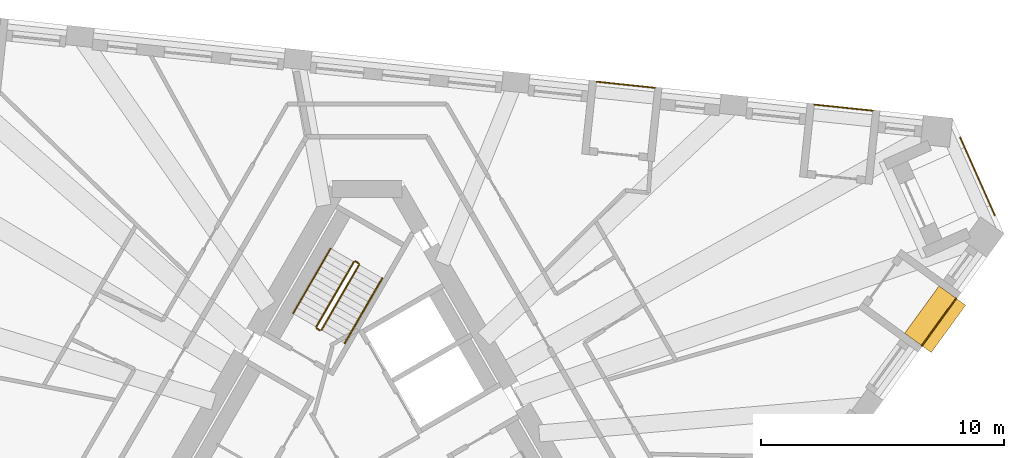
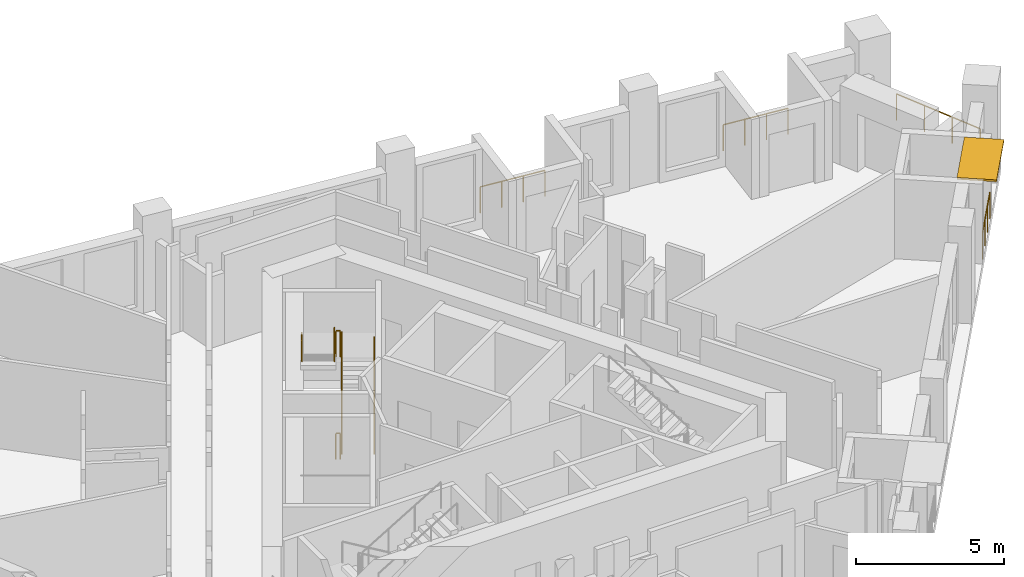
# One storey, part 11 of 11: 10 railings, 1 shading device.
"""IFC4 building model written with IfcOpenShell, lengths in metres."""

from ifc_helpers import new_model, si_unit, direction, frame, origin, origin_2d, place, context, subcontext, project, spatial, rectangle, circle, extrude, material, layer, layer_set, type_object, element, save


model = new_model("IFC4")

# Units and contexts
model_context = context("Model", 3, precision=1e-05, world=origin(), true_north=direction((0.0, 1.0)))
body_context = subcontext(model_context, "Body", "Model", "MODEL_VIEW")
ifc_project = project(units=[si_unit("LENGTHUNIT", "METRE"), si_unit("AREAUNIT", "SQUARE_METRE"), si_unit("VOLUMEUNIT", "CUBIC_METRE"), si_unit("PLANEANGLEUNIT", "RADIAN"), si_unit("MASSUNIT", "GRAM", prefix="KILO")], contexts=[model_context])

# Site, building, storey
site_placement = place(None, origin())
site = spatial("IfcSite", under=ifc_project, at=site_placement, CompositionType="ELEMENT")
building_placement = place(site_placement, origin())
building = spatial("IfcBuilding", under=site, at=building_placement, Name="Tramontana Tower", CompositionType="ELEMENT")
storey_placement = place(building_placement, frame((0.0, 0.0, 249.199951171875)))
storey = spatial("IfcBuildingStorey", under=building, at=storey_placement, Name="L58", CompositionType="ELEMENT", Elevation=249.199951171875)

# Railings
ifc_material_1 = material(Name="Laminated glass balustrade", Category="glass")
railing_type_1 = type_object("IfcRailingType", Name="GD1 Loggia glass balustrade 1100", PredefinedType="BALUSTRADE", material=ifc_material_1)
railing_1_placement = place(storey_placement, frame((22.802001953125, 4.21435546875, 0.0)))
element("IfcRailing", 1, at=railing_1_placement, inside=storey, type_object=railing_type_1, Name="Loggia balustrade L58 G6S1.13", PredefinedType="BALUSTRADE", context=body_context, shape_type="SweptSolid", body=[
    extrude(circle(Radius=0.02392578125, at=origin_2d()), frame((0.0, 0.0, 1.076171875), z_axis=(0.587718396543, 0.8090655637, 0.0), x_axis=(-0.8090655637, 0.587718396543, 0.0)), (0.0, 0.0, 1.0), 2.40234375),
    extrude(circle(Radius=0.02099609375, at=origin_2d()), origin(), (0.0, 0.0, 1.0), 1.052001953125),
    extrude(circle(Radius=0.02099609375, at=origin_2d()), frame((0.470703125, 0.64794921875, 0.0)), (0.0, 0.0, 1.0), 1.052001953125),
    extrude(circle(Radius=0.02099609375, at=origin_2d()), frame((0.941162109375, 1.295654296875, 0.0)), (0.0, 0.0, 1.0), 1.052001953125),
    extrude(circle(Radius=0.02099609375, at=origin_2d()), frame((1.411865234375, 1.943603515625, 0.0)), (0.0, 0.0, 1.0), 1.052001953125),
])
for number, where, name in (
    (2, (20.778564453125, 13.8740234375, 0.0), "Loggia balustrade L58 G6S2.1"),
    (3, (11.8212890625, 14.8154296875, 0.0), "Loggia balustrade L58 G6S2.4"),
):
    element("IfcRailing", number, at=place(storey_placement, frame(where)), inside=storey, type_object=railing_type_1, Name=name, PredefinedType="BALUSTRADE", context=body_context, shape_type="SweptSolid", body=[
        extrude(circle(Radius=0.02392578125, at=origin_2d()), frame((0.0, 0.0, 1.076171875), z_axis=(-0.994517140727, 0.104573690763, 0.0), x_axis=(-0.104573690763, -0.994517140727, 0.0)), (0.0, 0.0, 1.0), 2.40234375),
        extrude(circle(Radius=0.02099609375, at=origin_2d()), origin(), (0.0, 0.0, 1.0), 1.052001953125),
        extrude(circle(Radius=0.02099609375, at=origin_2d()), frame((-0.79638671875, 0.083740234375, 0.0)), (0.0, 0.0, 1.0), 1.052001953125),
        extrude(circle(Radius=0.02099609375, at=origin_2d()), frame((-1.5927734375, 0.16748046875, 0.0)), (0.0, 0.0, 1.0), 1.052001953125),
        extrude(circle(Radius=0.02099609375, at=origin_2d()), frame((-2.38916015625, 0.251220703125, 0.0)), (0.0, 0.0, 1.0), 1.052001953125),
    ])
railing_2_placement = place(storey_placement, frame((24.38330078125, 12.771728515625, 0.0)))
element("IfcRailing", 4, at=railing_2_placement, inside=storey, type_object=railing_type_1, Name="Corner loggia balustrade L58 K62", PredefinedType="BALUSTRADE", context=body_context, shape_type="SweptSolid", body=[
    extrude(circle(Radius=0.02392578125, at=origin_2d()), frame((0.0, 0.0, 1.076171875), z_axis=(0.406753242783, -0.913538066796, 0.0), x_axis=(0.913538066796, 0.406753242783, 0.0)), (0.0, 0.0, 1.0), 3.499755859375),
    extrude(circle(Radius=0.02099609375, at=origin_2d()), origin(), (0.0, 0.0, 1.0), 1.052001953125),
    extrude(circle(Radius=0.02099609375, at=origin_2d()), frame((0.474609375, -1.065673828125, 0.0)), (0.0, 0.0, 1.0), 1.052001953125),
    extrude(circle(Radius=0.02099609375, at=origin_2d()), frame((0.948974609375, -2.131591796875, 0.0)), (0.0, 0.0, 1.0), 1.052001953125),
    extrude(circle(Radius=0.02099609375, at=origin_2d()), frame((1.423583984375, -3.197265625, 0.0)), (0.0, 0.0, 1.0), 1.052001953125),
])

# Shading device
ifc_material_2 = material(Name="Precast concrete 60 MPa", Category="concrete")
ifc_layer = layer(ifc_material_2, 0.080078125)
ifc_layer_set = layer_set([ifc_layer], Name="SS3 Stone sunshade blade 80")
shading_device_type = type_object("IfcShadingDeviceType", Name="SS3 Stone sunshade blade 80", PredefinedType="USERDEFINED", material=ifc_layer_set)
shading_device_placement = place(storey_placement, frame((23.35009765625, 5.30078125, 3.219970703125), z_axis=(0.0, 0.0, 1.0), x_axis=(0.587785252292, 0.809016994375, 0.0)))
element("IfcShadingDevice", 5, at=shading_device_placement, inside=storey, type_object=shading_device_type, Name="Sunshade L58 G6S1.13", ObjectType="SUNSHADE", PredefinedType="USERDEFINED", context=body_context, shape_type="SweptSolid", body=[
    extrude(rectangle(XDim=2.402099609375, YDim=1.35009765625, at=origin_2d()), origin(), (0.0, 0.0, 1.0), 0.080078125),
])

# Railings
ifc_material_3 = material(Name="Painted steel", Category="steel")
railing_type_2 = type_object("IfcRailingType", Name="STAIR GUARD 1100", PredefinedType="GUARDRAIL", material=ifc_material_3)
railing_3_placement = place(storey_placement, frame((-1.867431640625, 4.865478515625, 0.166748046875)))
element("IfcRailing", 6, at=railing_3_placement, inside=storey, type_object=railing_type_2, Name="L58 ST1 stair guard 1", PredefinedType="GUARDRAIL", context=body_context, shape_type="SweptSolid", body=[
    extrude(circle(Radius=0.02392578125, at=origin_2d()), frame((0.0, 0.0, 1.076171875), z_axis=(0.429649414936, 0.744189839504, 0.511451721109), x_axis=(-0.866029832698, 0.499992328818, 0.0)), (0.0, 0.0, 1.0), 3.58447265625),
    extrude(circle(Radius=0.02099609375, at=origin_2d()), origin(), (0.0, 0.0, 1.0), 1.052001953125),
    extrude(circle(Radius=0.02099609375, at=origin_2d()), frame((0.513427734375, 0.88916015625, 0.611083984375)), (0.0, 0.0, 1.0), 1.052001953125),
    extrude(circle(Radius=0.02099609375, at=origin_2d()), frame((1.026611328125, 1.7783203125, 1.22216796875)), (0.0, 0.0, 1.0), 1.052001953125),
    extrude(circle(Radius=0.02099609375, at=origin_2d()), frame((1.5400390625, 2.66748046875, 1.833251953125)), (0.0, 0.0, 1.0), 1.052001953125),
])
railing_4_placement = place(storey_placement, frame((-0.5439453125, 7.657958984375, 2.166748046875)))
element("IfcRailing", 7, at=railing_4_placement, inside=storey, type_object=railing_type_2, Name="L58 ST1 stair guard 2", PredefinedType="GUARDRAIL", context=body_context, shape_type="SweptSolid", body=[
    extrude(circle(Radius=0.02392578125, at=origin_2d()), frame((0.0, 0.0, 1.076171875), z_axis=(-0.429649414936, -0.744189839504, 0.511451721109), x_axis=(0.866029832698, -0.499992328818, 0.0)), (0.0, 0.0, 1.0), 3.58447265625),
    extrude(circle(Radius=0.02099609375, at=origin_2d()), origin(), (0.0, 0.0, 1.0), 1.052001953125),
    extrude(circle(Radius=0.02099609375, at=origin_2d()), frame((-0.513427734375, -0.88916015625, 0.611083984375)), (0.0, 0.0, 1.0), 1.052001953125),
    extrude(circle(Radius=0.02099609375, at=origin_2d()), frame((-1.026611328125, -1.7783203125, 1.22216796875)), (0.0, 0.0, 1.0), 1.052001953125),
    extrude(circle(Radius=0.02099609375, at=origin_2d()), frame((-1.5400390625, -2.66748046875, 1.833251953125)), (0.0, 0.0, 1.0), 1.052001953125),
])
railing_5_placement = place(storey_placement, frame((-0.345703125, 7.601318359375, 2.0)))
element("IfcRailing", 8, at=railing_5_placement, inside=storey, type_object=railing_type_2, Name="L58 ST1 stair guard 3", PredefinedType="GUARDRAIL", context=body_context, shape_type="SweptSolid", body=[
    extrude(circle(Radius=0.02392578125, at=origin_2d()), frame((0.0, 0.0, 1.076171875), z_axis=(-0.866131372301, 0.499816412211, 0.0), x_axis=(-0.499816412211, -0.866131372301, 0.0)), (0.0, 0.0, 1.0), 0.14990234375),
    extrude(circle(Radius=0.02099609375, at=origin_2d()), origin(), (0.0, 0.0, 1.0), 1.052001953125),
    extrude(circle(Radius=0.02099609375, at=origin_2d()), frame((-0.1298828125, 0.074951171875, 0.0)), (0.0, 0.0, 1.0), 1.052001953125),
])
railing_6_placement = place(storey_placement, frame((-1.935791015625, 4.84716796875, 0.0)))
element("IfcRailing", 9, at=railing_6_placement, inside=storey, type_object=railing_type_2, Name="L58 ST1 stair guard 4", PredefinedType="GUARDRAIL", context=body_context, shape_type="SweptSolid", body=[
    extrude(circle(Radius=0.02392578125, at=origin_2d()), frame((0.0, 0.0, 1.076171875), z_axis=(-0.865426285481, 0.501036270542, 0.0), x_axis=(-0.501036270542, -0.865426285481, 0.0)), (0.0, 0.0, 1.0), 0.150146484375),
    extrude(circle(Radius=0.02099609375, at=origin_2d()), origin(), (0.0, 0.0, 1.0), 1.052001953125),
    extrude(circle(Radius=0.02099609375, at=origin_2d()), frame((-0.1298828125, 0.0751953125, 0.0)), (0.0, 0.0, 1.0), 1.052001953125),
])
ifc_material_4 = material(Name="Painted steel", Category="steel")
railing_type_3 = type_object("IfcRailingType", Name="STAIR HANDRAIL 900", PredefinedType="HANDRAIL", material=ifc_material_4)
railing_7_placement = place(storey_placement, frame((-0.914794921875, 4.315673828125, 0.166748046875)))
element("IfcRailing", 10, at=railing_7_placement, inside=storey, type_object=railing_type_3, Name="L58 ST1 stair handrail 1", PredefinedType="HANDRAIL", context=body_context, shape_type="SweptSolid", body=[
    extrude(circle(Radius=0.02392578125, at=origin_2d()), frame((0.0, 0.0, 0.8759765625), z_axis=(0.429671193721, 0.744159446956, 0.511477646425), x_axis=(-0.866010015463, 0.500026652407, 0.0)), (0.0, 0.0, 1.0), 3.584228515625),
    extrude(circle(Radius=0.02099609375, at=origin_2d()), origin(), (0.0, 0.0, 1.0), 0.851806640625),
    extrude(circle(Radius=0.02099609375, at=origin_2d()), frame((0.513427734375, 0.88916015625, 0.611083984375)), (0.0, 0.0, 1.0), 0.851806640625),
    extrude(circle(Radius=0.02099609375, at=origin_2d()), frame((1.026611328125, 1.778076171875, 1.22216796875)), (0.0, 0.0, 1.0), 0.851806640625),
    extrude(circle(Radius=0.02099609375, at=origin_2d()), frame((1.5400390625, 2.667236328125, 1.833251953125)), (0.0, 0.0, 1.0), 0.851806640625),
])
railing_8_placement = place(storey_placement, frame((-1.49658203125, 8.2080078125, 2.166748046875)))
element("IfcRailing", 11, at=railing_8_placement, inside=storey, type_object=railing_type_3, Name="L58 ST1 stair handrail 2", PredefinedType="HANDRAIL", context=body_context, shape_type="SweptSolid", body=[
    extrude(circle(Radius=0.02392578125, at=origin_2d()), frame((0.0, 0.0, 0.8759765625), z_axis=(-0.429649414936, -0.744189839504, 0.511451721109), x_axis=(0.866029832698, -0.499992328818, 0.0)), (0.0, 0.0, 1.0), 3.58447265625),
    extrude(circle(Radius=0.02099609375, at=origin_2d()), origin(), (0.0, 0.0, 1.0), 0.851806640625),
    extrude(circle(Radius=0.02099609375, at=origin_2d()), frame((-0.513427734375, -0.88916015625, 0.611083984375)), (0.0, 0.0, 1.0), 0.851806640625),
    extrude(circle(Radius=0.02099609375, at=origin_2d()), frame((-1.026611328125, -1.7783203125, 1.22216796875)), (0.0, 0.0, 1.0), 0.851806640625),
    extrude(circle(Radius=0.02099609375, at=origin_2d()), frame((-1.5400390625, -2.66748046875, 1.833251953125)), (0.0, 0.0, 1.0), 0.851806640625),
])

save(model, "model.ifc")
